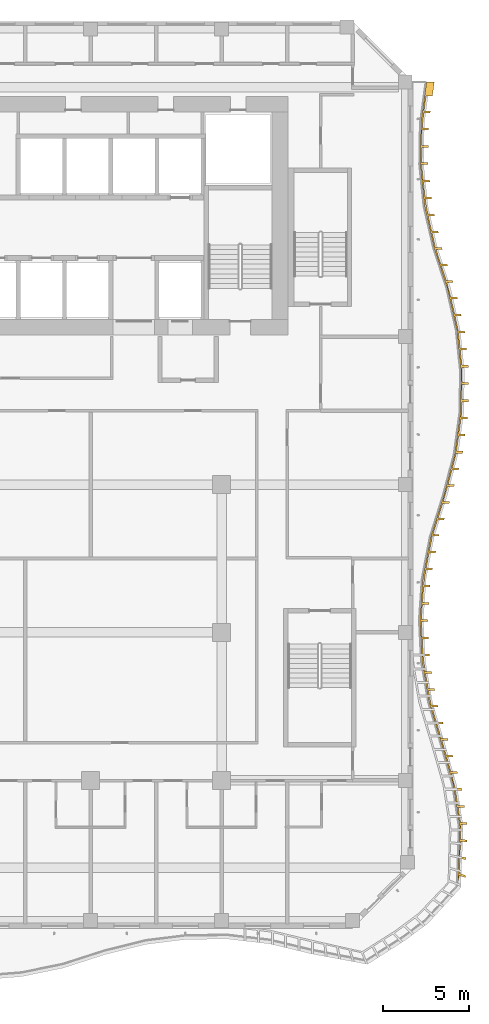
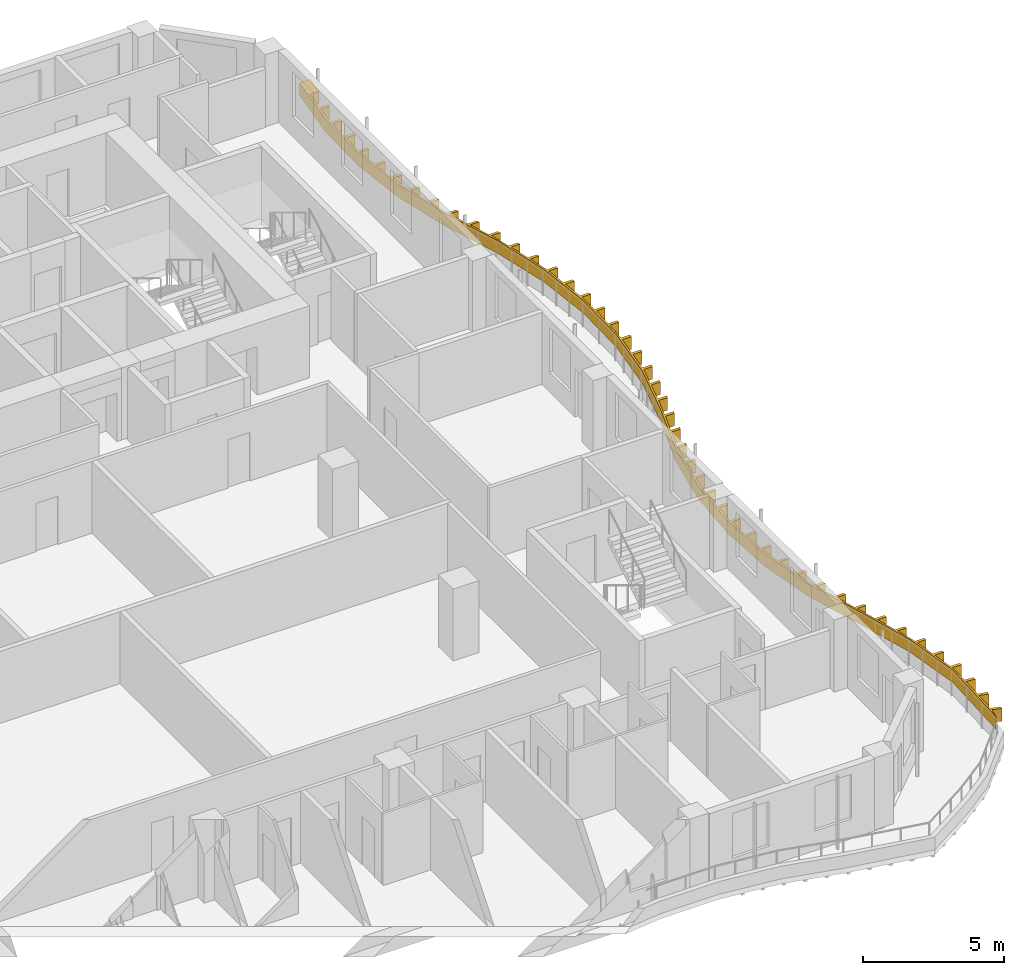
# One storey, part 21 of 24: 1 shading device.
"""IFC4 building model written with IfcOpenShell, lengths in metres."""

from ifc_helpers import new_model, si_unit, direction, frame, origin, place, context, subcontext, project, spatial, polyline, outline, extrude, source, transform, mapped, material, layer, layer_set, type_object, element, save


model = new_model("IFC4")

# Units and contexts
model_context = context("Model", 3, precision=1e-05, world=origin(), true_north=direction((0.0, 1.0)))
body_context = subcontext(model_context, "Body", "Model", "MODEL_VIEW")
ifc_project = project(units=[si_unit("LENGTHUNIT", "METRE"), si_unit("AREAUNIT", "SQUARE_METRE"), si_unit("VOLUMEUNIT", "CUBIC_METRE"), si_unit("PLANEANGLEUNIT", "RADIAN"), si_unit("MASSUNIT", "GRAM", prefix="KILO")], contexts=[model_context])

# Site, building, storey
site_placement = place(None, origin())
site = spatial("IfcSite", under=ifc_project, at=site_placement, CompositionType="ELEMENT")
building_placement = place(site_placement, origin())
building = spatial("IfcBuilding", under=site, at=building_placement, Name="Kilnfold Tower and Market Hall", CompositionType="ELEMENT")
storey_placement = place(building_placement, frame((0.0, 0.0, 175.300048828125)))
storey = spatial("IfcBuildingStorey", under=building, at=storey_placement, Name="L41", CompositionType="ELEMENT", Elevation=175.300048828125)

# Shading device
ifc_material = material(Name="Bronze anodised aluminium", Category="aluminium")
ifc_layer = layer(ifc_material, 0.550048828125)
ifc_layer_set = layer_set([ifc_layer], Name="Bronze anodised aluminium")
shading_device_type = type_object("IfcShadingDeviceType", Name="BRONZE SLAT FASCIA 550", PredefinedType="USERDEFINED", material=ifc_layer_set)
shared_shape = source(origin(), body_context, "Body", "SweptSolid", [
    extrude(outline(polyline([(28.277587890625, -23.31005859375), (27.92919921875, -23.194580078125), (27.838623046875, -23.63232421875), (27.957275390625, -20.355224609375), (27.580322265625, -17.96044921875), (26.897216796875, -15.56591796875), (26.17919921875, -13.171142578125), (25.77001953125, -10.7763671875), (25.65087890625, -8.381591796875), (25.8173828125, -5.98681640625), (26.276611328125, -3.592041015625), (27.032958984375, -1.197509765625), (27.66357421875, 1.197509765625), (27.99169921875, 3.592041015625), (28.031494140625, 5.98681640625), (27.78564453125, 8.381591796875), (27.24267578125, 10.7763671875), (26.461181640625, 13.171142578125), (25.91650390625, 15.56591796875), (25.6689453125, 17.96044921875), (25.70751953125, 20.355224609375), (26.03369140625, 22.75), (26.48388671875, 22.75), (26.37353515625, 21.940673828125), (26.00341796875, 21.940673828125), (25.884765625, 21.068603515625), (26.254638671875, 21.068603515625), (26.238525390625, 20.94970703125), (25.868408203125, 20.94970703125), (25.782958984375, 20.0751953125), (26.153076171875, 20.0751953125), (26.151123046875, 19.955322265625), (25.781005859375, 19.955322265625), (25.766845703125, 19.075439453125), (26.136962890625, 19.075439453125), (26.135009765625, 18.955322265625), (25.764892578125, 18.955322265625), (25.750732421875, 18.075439453125), (26.120849609375, 18.075439453125), (26.119384765625, 17.95556640625), (25.74951171875, 17.95556640625), (25.83984375, 17.080078125), (26.2099609375, 17.080078125), (26.222412109375, 16.9609375), (25.852294921875, 16.9609375), (25.94287109375, 16.08544921875), (26.312744140625, 16.08544921875), (26.3251953125, 15.96630859375), (25.955078125, 15.96630859375), (26.102294921875, 15.10009765625), (26.472412109375, 15.10009765625), (26.4990234375, 14.983154296875), (26.12890625, 14.983154296875), (26.32421875, 14.125), (26.694091796875, 14.125), (26.720703125, 14.008056640625), (26.350830078125, 14.008056640625), (26.5478515625, 13.150390625), (26.917724609375, 13.150390625), (26.955078125, 13.036376953125), (26.5849609375, 13.036376953125), (26.858154296875, 12.19970703125), (27.22802734375, 12.19970703125), (27.265380859375, 12.085693359375), (26.895263671875, 12.085693359375), (27.168212890625, 11.249267578125), (27.538330078125, 11.249267578125), (27.575439453125, 11.135009765625), (27.20556640625, 11.135009765625), (27.43359375, 10.2861328125), (27.8037109375, 10.2861328125), (27.830322265625, 10.169189453125), (27.460205078125, 10.169189453125), (27.65478515625, 9.310791015625), (28.02490234375, 9.310791015625), (28.051513671875, 9.19384765625), (27.681396484375, 9.19384765625), (27.870361328125, 8.334716796875), (28.240478515625, 8.334716796875), (28.252685546875, 8.21533203125), (27.8828125, 8.21533203125), (27.97265625, 7.340087890625), (28.342529296875, 7.340087890625), (28.35498046875, 7.220703125), (27.98486328125, 7.220703125), (28.07470703125, 6.34521484375), (28.44482421875, 6.34521484375), (28.45703125, 6.225830078125), (28.0869140625, 6.225830078125), (28.100830078125, 5.34716796875), (28.470947265625, 5.34716796875), (28.468994140625, 5.227294921875), (28.098876953125, 5.227294921875), (28.084228515625, 4.347412109375), (28.4541015625, 4.347412109375), (28.4521484375, 4.227294921875), (28.082275390625, 4.227294921875), (28.038330078125, 3.349609375), (28.408447265625, 3.349609375), (28.39208984375, 3.230712890625), (28.022216796875, 3.230712890625), (27.902587890625, 2.35888671875), (28.272705078125, 2.35888671875), (28.25634765625, 2.239990234375), (27.886474609375, 2.239990234375), (27.76708984375, 1.3681640625), (28.136962890625, 1.3681640625), (28.12060546875, 1.249267578125), (27.750732421875, 1.249267578125), (27.532958984375, 0.397216796875), (27.90283203125, 0.397216796875), (27.872314453125, 0.281005859375), (27.502197265625, 0.281005859375), (27.2783203125, -0.56982421875), (27.648193359375, -0.56982421875), (27.61767578125, -0.68603515625), (27.247802734375, -0.68603515625), (27.007080078125, -1.5322265625), (27.377197265625, -1.5322265625), (27.341064453125, -1.646728515625), (26.97119140625, -1.646728515625), (26.7060546875, -2.48583984375), (27.075927734375, -2.48583984375), (27.039794921875, -2.60009765625), (26.669921875, -2.60009765625), (26.40478515625, -3.439453125), (26.77490234375, -3.439453125), (26.73876953125, -3.5537109375), (26.36865234375, -3.5537109375), (26.198486328125, -4.4169921875), (26.568359375, -4.4169921875), (26.5458984375, -4.534912109375), (26.17578125, -4.534912109375), (26.010009765625, -5.39892578125), (26.380126953125, -5.39892578125), (26.357421875, -5.516845703125), (25.987548828125, -5.516845703125), (25.86962890625, -6.38720703125), (26.239501953125, -6.38720703125), (26.231201171875, -6.507080078125), (25.861328125, -6.507080078125), (25.80029296875, -7.385009765625), (26.17041015625, -7.385009765625), (26.161865234375, -7.504638671875), (25.7919921875, -7.504638671875), (25.73095703125, -8.382568359375), (26.10107421875, -8.382568359375), (26.10693359375, -8.50244140625), (25.737060546875, -8.50244140625), (25.780517578125, -9.38134765625), (26.150634765625, -9.38134765625), (26.156494140625, -9.501220703125), (25.78662109375, -9.501220703125), (25.830078125, -10.380126953125), (26.2001953125, -10.380126953125), (26.206298828125, -10.5), (25.836181640625, -10.5), (25.95166015625, -11.37109375), (26.321533203125, -11.37109375), (26.341796875, -11.4892578125), (25.9716796875, -11.4892578125), (26.1201171875, -12.356689453125), (26.489990234375, -12.356689453125), (26.51025390625, -12.474853515625), (26.140380859375, -12.474853515625), (26.30908203125, -13.33740234375), (26.67919921875, -13.33740234375), (26.713623046875, -13.452392578125), (26.343505859375, -13.452392578125), (26.59619140625, -14.29541015625), (26.96630859375, -14.29541015625), (27.000732421875, -14.410400390625), (26.630859375, -14.410400390625), (26.88330078125, -15.25341796875), (27.25341796875, -15.25341796875), (27.287841796875, -15.368408203125), (26.91796875, -15.368408203125), (27.162109375, -16.213623046875), (27.531982421875, -16.213623046875), (27.56494140625, -16.3291015625), (27.19482421875, -16.3291015625), (27.436279296875, -17.17529296875), (27.806396484375, -17.17529296875), (27.83935546875, -17.290771484375), (27.46923828125, -17.290771484375), (27.68896484375, -18.141845703125), (28.058837890625, -18.141845703125), (28.07763671875, -18.26025390625), (27.70751953125, -18.26025390625), (27.84423828125, -19.129638671875), (28.21435546875, -19.129638671875), (28.23291015625, -19.248291015625), (27.863037109375, -19.248291015625), (27.999755859375, -20.117431640625), (28.369873046875, -20.117431640625), (28.388427734375, -20.236083984375), (28.018310546875, -20.236083984375), (28.007568359375, -21.10400390625), (28.373046875, -21.134521484375), (28.36767578125, -21.257568359375), (28.0029296875, -21.222412109375), (27.9697265625, -22.08984375), (28.327880859375, -22.16064453125), (28.322509765625, -22.28369140625), (27.96533203125, -22.208251953125), (27.933349609375, -23.076171875), (28.282958984375, -23.18701171875), (28.277587890625, -23.31005859375)])), origin(), (0.0, 0.0, 1.0), 0.5498046875),
])
shading_device_placement = place(storey_placement, frame((0.0, 0.0, 0.550048828125)))
element("IfcShadingDevice", 1, at=shading_device_placement, inside=storey, type_object=shading_device_type, Name="Balcony slat fascia L41", ObjectType="SLAT", PredefinedType="USERDEFINED", context=body_context, shape_type="MappedRepresentation", body=[
    mapped(shared_shape, transform((0.0, 0.0, 0.0))),
])

save(model, "model.ifc")
